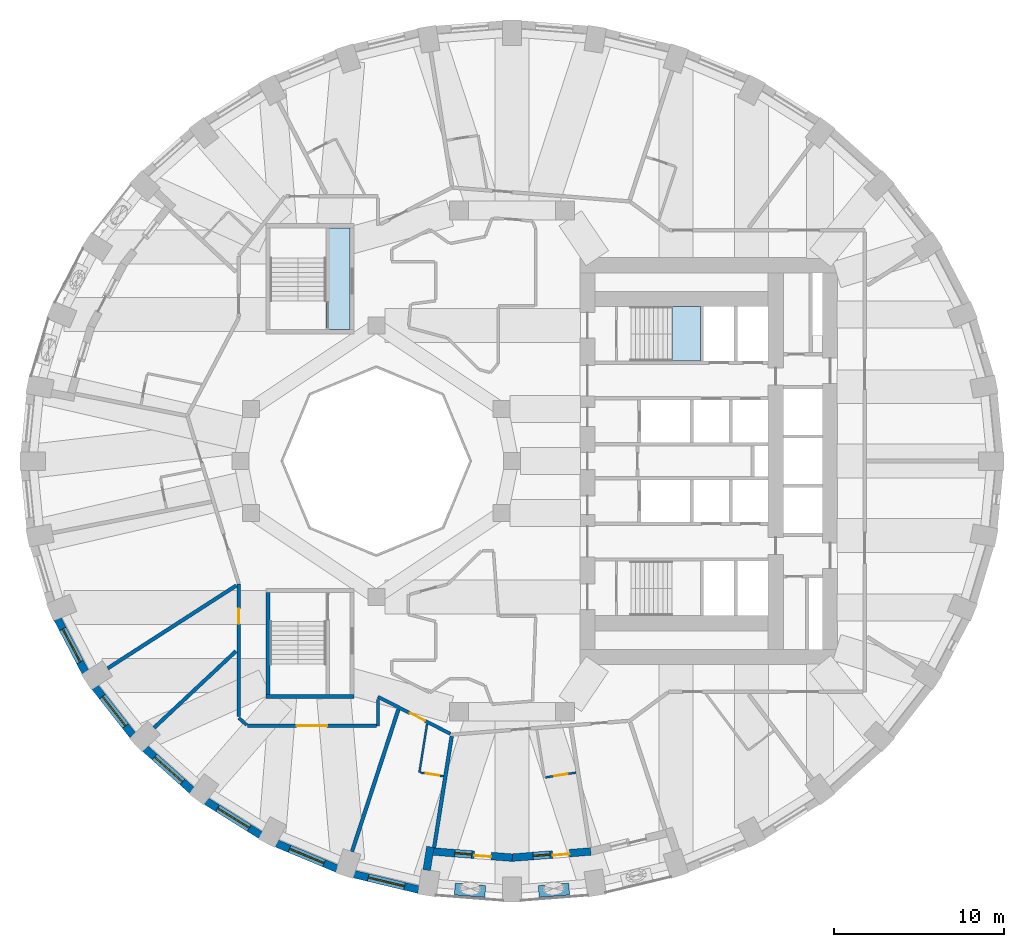
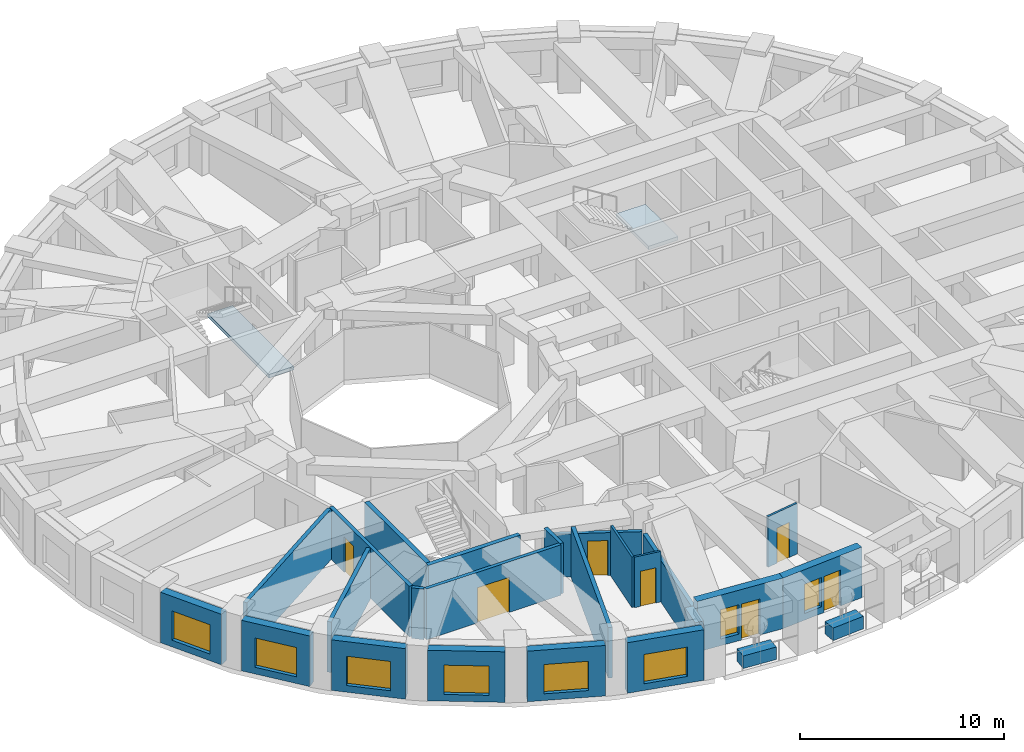
# One storey, part 3 of 13: 25 walls, 8 windows, 7 doors, 2 slabs, 15 openings, 1 element without a shape of its own.
"""IFC4 building model written with IfcOpenShell, lengths in metres."""

from ifc_helpers import new_model, si_unit, direction, frame, frame_2d, origin, place, context, subcontext, project, spatial, polyline, rectangle, outline, extrude, material, layer, layer_set, constituent, constituent_set, type_object, element, fill, aggregate, save


model = new_model("IFC4")

# Units and contexts
model_context = context("Model", 3, precision=1e-05, world=origin(), true_north=direction((0.0, 1.0)))
body_context = subcontext(model_context, "Body", "Model", "MODEL_VIEW")
ifc_project = project(units=[si_unit("LENGTHUNIT", "METRE"), si_unit("AREAUNIT", "SQUARE_METRE"), si_unit("VOLUMEUNIT", "CUBIC_METRE"), si_unit("PLANEANGLEUNIT", "RADIAN"), si_unit("MASSUNIT", "GRAM", prefix="KILO")], contexts=[model_context])

# Site, building, storey
site_placement = place(None, origin())
site = spatial("IfcSite", under=ifc_project, at=site_placement, CompositionType="ELEMENT")
building_placement = place(site_placement, origin())
building = spatial("IfcBuilding", under=site, at=building_placement, Name="Taillehof Tower", CompositionType="ELEMENT")
storey_placement = place(building_placement, frame((0.0, 0.0, 38.199951171875)))
storey = spatial("IfcBuildingStorey", under=building, at=storey_placement, Name="L09", CompositionType="ELEMENT", Elevation=38.199951171875)

# Stair, slab
ifc_material_1 = material(Name="Concrete C40/50", Category="concrete")
stair_type = type_object("IfcStairType", Name="Exit stair half-turn", PredefinedType="HALF_TURN_STAIR", material=ifc_material_1)
stair_placement = place(storey_placement, origin())
stair = element("IfcStair", 1, at=stair_placement, inside=storey, type_object=stair_type, Name="Exit stair S1", PredefinedType="HALF_TURN_STAIR")
ifc_material_2 = material(Name="Concrete C40/50", Category="concrete")
ifc_layer_1 = layer(ifc_material_2, 0.2099609375)
ifc_layer_set_1 = layer_set([ifc_layer_1], Name="Stair landing C40/50 210")
slab_type = type_object("IfcSlabType", Name="Stair landing C40/50 210", PredefinedType="LANDING", material=ifc_layer_set_1)
slab_1_placement = place(storey_placement, frame((0.0, 0.0, 1.43994140625)))
slab_1 = element("IfcSlab", 2, at=slab_1_placement, type_object=slab_type, Name="S1 landing 1", PredefinedType="LANDING", context=body_context, shape_type="SweptSolid", body=[
    extrude(outline(polyline([(9.429931640625, 5.89990234375), (11.10009765625, 5.89990234375), (11.10009765625, 9.10009765625), (9.429931640625, 9.10009765625), (9.429931640625, 5.89990234375)])), origin(), (0.0, 0.0, 1.0), 0.210205078125),
])
aggregate(stair, [slab_1])

# Slab
slab_2_placement = place(storey_placement, frame((0.0, 0.0, -0.2099609375)))
element("IfcSlab", 3, at=slab_2_placement, inside=storey, type_object=slab_type, Name="Stair lobby S3 floor", PredefinedType="LANDING", context=body_context, shape_type="SweptSolid", body=[
    extrude(outline(polyline([(-10.949951171875, 7.75), (-9.550048828125, 7.75), (-9.550048828125, 13.75), (-10.949951171875, 13.75), (-10.949951171875, 7.75)])), origin(), (0.0, 0.0, 1.0), 0.2099609375),
])

# Wall, opening, window
ifc_material_3 = material(Name="Brick masonry", Category="masonry")
ifc_layer_2 = layer(ifc_material_3, 0.449951171875)
ifc_layer_set_2 = layer_set([ifc_layer_2], Name="Brick infill wall 450")
wall_type_1 = type_object("IfcWallType", Name="Brick infill wall 450", PredefinedType="SOLIDWALL", material=ifc_layer_set_2)
wall_1_placement = place(storey_placement, frame((-26.78564453125, -9.30517578125, 0.0), z_axis=(0.0, 0.0, 1.0), x_axis=(0.462492775226, -0.886623050041, 0.0)))
wall_1 = element("IfcWall", 4, at=wall_1_placement, inside=storey, type_object=wall_type_1, Name="Brick wall L09 bay 21", PredefinedType="SOLIDWALL", context=body_context, shape_type="SweptSolid", body=[
    extrude(rectangle(XDim=3.531982421875, YDim=0.449951171875, at=frame_2d((1.76611328125, 0.0))), origin(), (0.0, 0.0, 1.0), 3.02001953125),
])
opening_1_placement = place(wall_1_placement, frame((0.666015625, 0.0, 0.39990234375)))
opening_1 = element("IfcOpeningElement", 5, at=opening_1_placement, cuts=wall_1, Name="Opening W1", PredefinedType="OPENING", context=body_context, shape_type="SweptSolid", body=[
    extrude(rectangle(XDim=2.199951171875, YDim=1.75, at=frame_2d((1.10009765625, 0.875))), frame((0.0, 0.23486328125, 0.0), z_axis=(0.0, -1.0, 0.0), x_axis=(1.0, 0.0, 0.0)), (0.0, 0.0, 1.0), 0.469970703125),
])
ifc_material_4 = material(Name="Aluminium window frame with clear double glazing", Category="aluminium")
window_type_1 = type_object("IfcWindowType", Name="Deep-set window 2200x1750", PartitioningType="SINGLE_PANEL", PredefinedType="WINDOW", material=ifc_material_4)
window_1_placement = place(opening_1_placement, origin())
window_1 = element("IfcWindow", 6, at=window_1_placement, inside=storey, type_object=window_type_1, Name="W1", OverallHeight=1.75, OverallWidth=2.199951171875, PartitioningType="SINGLE_PANEL", PredefinedType="WINDOW", context=body_context, shape_type="SweptSolid", body=[
    extrude(rectangle(XDim=2.199951171875, YDim=1.75, at=frame_2d((1.10009765625, 0.875))), frame((0.0, 0.034912109375, 0.0), z_axis=(0.0, -1.0, 0.0), x_axis=(1.0, 0.0, 0.0)), (0.0, 0.0, 1.0), 0.06005859375),
])
fill(opening_1, window_1)

wall_2_placement = place(storey_placement, frame((-24.57763671875, -13.327880859375, 0.0), z_axis=(0.0, 0.0, 1.0), x_axis=(0.616661975264, -0.787228053529, 0.0)))
wall_2 = element("IfcWall", 7, at=wall_2_placement, inside=storey, type_object=wall_type_1, Name="Brick wall L09 bay 22", PredefinedType="SOLIDWALL", context=body_context, shape_type="SweptSolid", body=[
    extrude(rectangle(XDim=3.60986328125, YDim=0.449951171875, at=frame_2d((1.804931640625, 0.0))), origin(), (0.0, 0.0, 1.0), 3.02001953125),
])
opening_2_placement = place(wall_2_placement, frame((0.704833984375, 0.0, 0.39990234375)))
opening_2 = element("IfcOpeningElement", 8, at=opening_2_placement, cuts=wall_2, Name="Opening W1", PredefinedType="OPENING", context=body_context, shape_type="SweptSolid", body=[
    extrude(rectangle(XDim=2.199951171875, YDim=1.75, at=frame_2d((1.10009765625, 0.875))), frame((0.0, 0.23486328125, 0.0), z_axis=(0.0, -1.0, 0.0), x_axis=(1.0, 0.0, 0.0)), (0.0, 0.0, 1.0), 0.469970703125),
])
window_2_placement = place(opening_2_placement, origin())
window_2 = element("IfcWindow", 9, at=window_2_placement, inside=storey, type_object=window_type_1, Name="W1", OverallHeight=1.75, OverallWidth=2.199951171875, PartitioningType="SINGLE_PANEL", PredefinedType="WINDOW", context=body_context, shape_type="SweptSolid", body=[
    extrude(rectangle(XDim=2.199951171875, YDim=1.75, at=frame_2d((1.10009765625, 0.875))), frame((0.0, 0.034912109375, 0.0), z_axis=(0.0, -1.0, 0.0), x_axis=(1.0, 0.0, 0.0)), (0.0, 0.0, 1.0), 0.06005859375),
])
fill(opening_2, window_2)

wall_3_placement = place(storey_placement, frame((-21.626708984375, -16.943115234375, 0.0), z_axis=(0.0, 0.0, 1.0), x_axis=(0.745526233716, -0.66647628228, 0.0)))
wall_3 = element("IfcWall", 10, at=wall_3_placement, inside=storey, type_object=wall_type_1, Name="Brick wall L09 bay 23", PredefinedType="SOLIDWALL", context=body_context, shape_type="SweptSolid", body=[
    extrude(rectangle(XDim=3.69677734375, YDim=0.449951171875, at=frame_2d((1.848388671875, 0.0))), origin(), (0.0, 0.0, 1.0), 3.02001953125),
])
opening_3_placement = place(wall_3_placement, frame((0.74853515625, 0.0, 0.39990234375)))
opening_3 = element("IfcOpeningElement", 11, at=opening_3_placement, cuts=wall_3, Name="Opening W1", PredefinedType="OPENING", context=body_context, shape_type="SweptSolid", body=[
    extrude(rectangle(XDim=2.199951171875, YDim=1.75, at=frame_2d((1.10009765625, 0.875))), frame((0.0, 0.23486328125, 0.0), z_axis=(0.0, -1.0, 0.0), x_axis=(1.0, 0.0, 0.0)), (0.0, 0.0, 1.0), 0.469970703125),
])
window_3_placement = place(opening_3_placement, origin())
window_3 = element("IfcWindow", 12, at=window_3_placement, inside=storey, type_object=window_type_1, Name="W1", OverallHeight=1.75, OverallWidth=2.199951171875, PartitioningType="SINGLE_PANEL", PredefinedType="WINDOW", context=body_context, shape_type="SweptSolid", body=[
    extrude(rectangle(XDim=2.199951171875, YDim=1.75, at=frame_2d((1.10009765625, 0.875))), frame((0.0, 0.034912109375, 0.0), z_axis=(0.0, -1.0, 0.0), x_axis=(1.0, 0.0, 0.0)), (0.0, 0.0, 1.0), 0.06005859375),
])
fill(opening_3, window_3)

wall_4_placement = place(storey_placement, frame((-18.02294921875, -20.043701171875, 0.0), z_axis=(0.0, 0.0, 1.0), x_axis=(0.847635480093, -0.530579016629, 0.0)))
wall_4 = element("IfcWall", 13, at=wall_4_placement, inside=storey, type_object=wall_type_1, Name="Brick wall L09 bay 24", PredefinedType="SOLIDWALL", context=body_context, shape_type="SweptSolid", body=[
    extrude(rectangle(XDim=3.782470703125, YDim=0.449951171875, at=frame_2d((1.89111328125, 0.0))), origin(), (0.0, 0.0, 1.0), 3.02001953125),
])
opening_4_placement = place(wall_4_placement, frame((0.791259765625, 0.0, 0.39990234375)))
opening_4 = element("IfcOpeningElement", 14, at=opening_4_placement, cuts=wall_4, Name="Opening W1", PredefinedType="OPENING", context=body_context, shape_type="SweptSolid", body=[
    extrude(rectangle(XDim=2.199951171875, YDim=1.75, at=frame_2d((1.10009765625, 0.875))), frame((0.0, 0.23486328125, 0.0), z_axis=(0.0, -1.0, 0.0), x_axis=(1.0, 0.0, 0.0)), (0.0, 0.0, 1.0), 0.469970703125),
])
window_4_placement = place(opening_4_placement, origin())
window_4 = element("IfcWindow", 15, at=window_4_placement, inside=storey, type_object=window_type_1, Name="W1", OverallHeight=1.75, OverallWidth=2.199951171875, PartitioningType="SINGLE_PANEL", PredefinedType="WINDOW", context=body_context, shape_type="SweptSolid", body=[
    extrude(rectangle(XDim=2.199951171875, YDim=1.75, at=frame_2d((1.10009765625, 0.875))), frame((0.0, 0.034912109375, 0.0), z_axis=(0.0, -1.0, 0.0), x_axis=(1.0, 0.0, 0.0)), (0.0, 0.0, 1.0), 0.06005859375),
])
fill(opening_4, window_4)

wall_5_placement = place(storey_placement, frame((-13.875, -22.537353515625, 0.0), z_axis=(0.0, 0.0, 1.0), x_axis=(0.923031964282, -0.384723267966, 0.0)))
wall_5 = element("IfcWall", 16, at=wall_5_placement, inside=storey, type_object=wall_type_1, Name="Brick wall L09 bay 25", PredefinedType="SOLIDWALL", context=body_context, shape_type="SweptSolid", body=[
    extrude(rectangle(XDim=3.8564453125, YDim=0.449951171875, at=frame_2d((1.92822265625, 0.0))), origin(), (0.0, 0.0, 1.0), 3.02001953125),
])
opening_5_placement = place(wall_5_placement, frame((0.828125, 0.0, 0.39990234375)))
opening_5 = element("IfcOpeningElement", 17, at=opening_5_placement, cuts=wall_5, Name="Opening W1", PredefinedType="OPENING", context=body_context, shape_type="SweptSolid", body=[
    extrude(rectangle(XDim=2.199951171875, YDim=1.75, at=frame_2d((1.10009765625, 0.875))), frame((0.0, 0.23486328125, 0.0), z_axis=(0.0, -1.0, 0.0), x_axis=(1.0, 0.0, 0.0)), (0.0, 0.0, 1.0), 0.469970703125),
])
window_5_placement = place(opening_5_placement, origin())
window_5 = element("IfcWindow", 18, at=window_5_placement, inside=storey, type_object=window_type_1, Name="W1", OverallHeight=1.75, OverallWidth=2.199951171875, PartitioningType="SINGLE_PANEL", PredefinedType="WINDOW", context=body_context, shape_type="SweptSolid", body=[
    extrude(rectangle(XDim=2.199951171875, YDim=1.75, at=frame_2d((1.10009765625, 0.875))), frame((0.0, 0.034912109375, 0.0), z_axis=(0.0, -1.0, 0.0), x_axis=(1.0, 0.0, 0.0)), (0.0, 0.0, 1.0), 0.06005859375),
])
fill(opening_5, window_5)

wall_6_placement = place(storey_placement, frame((-9.3076171875, -24.349609375, 0.0), z_axis=(0.0, 0.0, 1.0), x_axis=(0.972496561493, -0.232917233979, 0.0)))
wall_6 = element("IfcWall", 19, at=wall_6_placement, inside=storey, type_object=wall_type_1, Name="Brick wall L09 bay 26", PredefinedType="SOLIDWALL", context=body_context, shape_type="SweptSolid", body=[
    extrude(rectangle(XDim=3.910888671875, YDim=0.449951171875, at=frame_2d((1.95556640625, 0.0))), origin(), (0.0, 0.0, 1.0), 3.02001953125),
])
opening_6_placement = place(wall_6_placement, frame((0.855224609375, 0.0, 0.39990234375)))
opening_6 = element("IfcOpeningElement", 20, at=opening_6_placement, cuts=wall_6, Name="Opening W1", PredefinedType="OPENING", context=body_context, shape_type="SweptSolid", body=[
    extrude(rectangle(XDim=2.199951171875, YDim=1.75, at=frame_2d((1.10009765625, 0.875))), frame((0.0, 0.23486328125, 0.0), z_axis=(0.0, -1.0, 0.0), x_axis=(1.0, 0.0, 0.0)), (0.0, 0.0, 1.0), 0.469970703125),
])
window_6_placement = place(opening_6_placement, origin())
window_6 = element("IfcWindow", 21, at=window_6_placement, inside=storey, type_object=window_type_1, Name="W1", OverallHeight=1.75, OverallWidth=2.199951171875, PartitioningType="SINGLE_PANEL", PredefinedType="WINDOW", context=body_context, shape_type="SweptSolid", body=[
    extrude(rectangle(XDim=2.199951171875, YDim=1.75, at=frame_2d((1.10009765625, 0.875))), frame((0.0, 0.034912109375, 0.0), z_axis=(0.0, -1.0, 0.0), x_axis=(1.0, 0.0, 0.0)), (0.0, 0.0, 1.0), 0.06005859375),
])
fill(opening_6, window_6)

# Wall
wall_7_placement = place(storey_placement, frame((-5.02685546875, -24.108154296875, 0.0), z_axis=(0.0, 0.0, 1.0), x_axis=(0.156133927791, 0.98773589415, 0.0)))
element("IfcWall", 22, at=wall_7_placement, inside=storey, type_object=wall_type_1, Name="Brick reveal L09 pocket 8", PredefinedType="SOLIDWALL", context=body_context, shape_type="SweptSolid", body=[
    extrude(rectangle(XDim=1.39013671875, YDim=0.449951171875, at=frame_2d((0.695068359375, 0.0))), origin(), (0.0, 0.0, 1.0), 2.469970703125),
])

# Wall, openings, door, window
wall_8_placement = place(storey_placement, frame((-4.625732421875, -23.011474609375, 0.0), z_axis=(0.0, 0.0, 1.0), x_axis=(0.996937095772, -0.078207589615, 0.0)))
wall_8 = element("IfcWall", 23, at=wall_8_placement, inside=storey, type_object=wall_type_1, Name="Brick wall L09 pocket bay 27", PredefinedType="SOLIDWALL", context=body_context, shape_type="SweptSolid", body=[
    extrude(rectangle(XDim=4.657470703125, YDim=0.449951171875, at=frame_2d((2.32861328125, 0.0))), origin(), (0.0, 0.0, 1.0), 3.02001953125),
])
opening_7_placement = place(wall_8_placement, frame((1.25390625, 0.0, 0.39990234375)))
opening_7 = element("IfcOpeningElement", 24, at=opening_7_placement, cuts=wall_8, Name="Opening W5", PredefinedType="OPENING", context=body_context, shape_type="SweptSolid", body=[
    extrude(rectangle(XDim=1.0, YDim=1.75, at=frame_2d((0.5, 0.875))), frame((0.0, 0.23486328125, 0.0), z_axis=(0.0, -1.0, 0.0), x_axis=(1.0, 0.0, 0.0)), (0.0, 0.0, 1.0), 0.469970703125),
])
opening_8_placement = place(wall_8_placement, frame((2.40380859375, 0.0, 0.0)))
opening_8 = element("IfcOpeningElement", 25, at=opening_8_placement, cuts=wall_8, Name="Opening D0994", PredefinedType="OPENING", context=body_context, shape_type="SweptSolid", body=[
    extrude(rectangle(XDim=1.0, YDim=2.14990234375, at=frame_2d((0.5, 1.074951171875))), frame((0.0, 0.23486328125, 0.0), z_axis=(0.0, -1.0, 0.0), x_axis=(1.0, 0.0, 0.0)), (0.0, 0.0, 1.0), 0.469970703125),
])
ifc_material_5 = material(Name="Aluminium door frame with clear double glazing", Category="aluminium")
door_type_1 = type_object("IfcDoorType", Name="Balcony door 1000x2150", OperationType="SINGLE_SWING_RIGHT", PredefinedType="DOOR", material=ifc_material_5)
door_1_placement = place(opening_8_placement, frame((1.0, 0.0, 0.0), z_axis=(0.0, 0.0, 1.0), x_axis=(-1.0, 0.0, 0.0)))
door_1 = element("IfcDoor", 26, at=door_1_placement, inside=storey, type_object=door_type_1, Name="Balcony door L09 bay 27", OperationType="SINGLE_SWING_RIGHT", OverallHeight=2.14990234375, OverallWidth=1.0, PredefinedType="DOOR", context=body_context, shape_type="SweptSolid", body=[
    extrude(rectangle(XDim=1.0, YDim=2.14990234375, at=frame_2d((0.5, 1.074951171875))), frame((0.0, 0.0751953125, 0.0), z_axis=(0.0, -1.0, 0.0), x_axis=(1.0, 0.0, 0.0)), (0.0, 0.0, 1.0), 0.050048828125),
])
fill(opening_8, door_1)
ifc_material_6 = material(Name="Aluminium window frame with clear double glazing", Category="aluminium")
window_type_2 = type_object("IfcWindowType", Name="Fixed window 1000x1750", PartitioningType="SINGLE_PANEL", PredefinedType="WINDOW", material=ifc_material_6)
window_7_placement = place(opening_7_placement, origin())
window_7 = element("IfcWindow", 27, at=window_7_placement, inside=storey, type_object=window_type_2, Name="W5", OverallHeight=1.75, OverallWidth=1.0, PartitioningType="SINGLE_PANEL", PredefinedType="WINDOW", context=body_context, shape_type="SweptSolid", body=[
    extrude(rectangle(XDim=1.0, YDim=1.75, at=frame_2d((0.5, 0.875))), frame((0.0, 0.034912109375, 0.0), z_axis=(0.0, -1.0, 0.0), x_axis=(1.0, 0.0, 0.0)), (0.0, 0.0, 1.0), 0.06005859375),
])
fill(opening_7, window_7)

wall_9_placement = place(storey_placement, frame((-0.017578125, -23.375732421875, 0.0), z_axis=(0.0, 0.0, 1.0), x_axis=(0.996935982964, 0.078221773648, 0.0)))
wall_9 = element("IfcWall", 28, at=wall_9_placement, inside=storey, type_object=wall_type_1, Name="Brick wall L09 pocket bay 28", PredefinedType="SOLIDWALL", context=body_context, shape_type="SweptSolid", body=[
    extrude(rectangle(XDim=4.675537109375, YDim=0.449951171875, at=frame_2d((2.337890625, 0.0))), origin(), (0.0, 0.0, 1.0), 3.02001953125),
])
opening_9_placement = place(wall_9_placement, frame((1.2626953125, 0.0, 0.39990234375)))
opening_9 = element("IfcOpeningElement", 29, at=opening_9_placement, cuts=wall_9, Name="Opening W5", PredefinedType="OPENING", context=body_context, shape_type="SweptSolid", body=[
    extrude(rectangle(XDim=1.0, YDim=1.75, at=frame_2d((0.5, 0.875))), frame((0.0, 0.23486328125, 0.0), z_axis=(0.0, -1.0, 0.0), x_axis=(1.0, 0.0, 0.0)), (0.0, 0.0, 1.0), 0.469970703125),
])
opening_10_placement = place(wall_9_placement, frame((2.41259765625, 0.0, 0.0)))
opening_10 = element("IfcOpeningElement", 30, at=opening_10_placement, cuts=wall_9, Name="Opening D0995", PredefinedType="OPENING", context=body_context, shape_type="SweptSolid", body=[
    extrude(rectangle(XDim=1.0, YDim=2.14990234375, at=frame_2d((0.5, 1.074951171875))), frame((0.0, 0.23486328125, 0.0), z_axis=(0.0, -1.0, 0.0), x_axis=(1.0, 0.0, 0.0)), (0.0, 0.0, 1.0), 0.469970703125),
])
door_2_placement = place(opening_10_placement, frame((1.0, 0.0, 0.0), z_axis=(0.0, 0.0, 1.0), x_axis=(-1.0, 0.0, 0.0)))
door_2 = element("IfcDoor", 31, at=door_2_placement, inside=storey, type_object=door_type_1, Name="Balcony door L09 bay 28", OperationType="SINGLE_SWING_LEFT", OverallHeight=2.14990234375, OverallWidth=1.0, PredefinedType="DOOR", context=body_context, shape_type="SweptSolid", body=[
    extrude(rectangle(XDim=1.0, YDim=2.14990234375, at=frame_2d((0.5, 1.074951171875))), frame((0.0, 0.0751953125, 0.0), z_axis=(0.0, -1.0, 0.0), x_axis=(1.0, 0.0, 0.0)), (0.0, 0.0, 1.0), 0.050048828125),
])
fill(opening_10, door_2)
window_8_placement = place(opening_9_placement, origin())
window_8 = element("IfcWindow", 32, at=window_8_placement, inside=storey, type_object=window_type_2, Name="W5", OverallHeight=1.75, OverallWidth=1.0, PartitioningType="SINGLE_PANEL", PredefinedType="WINDOW", context=body_context, shape_type="SweptSolid", body=[
    extrude(rectangle(XDim=1.0, YDim=1.75, at=frame_2d((0.5, 0.875))), frame((0.0, 0.034912109375, 0.0), z_axis=(0.0, -1.0, 0.0), x_axis=(1.0, 0.0, 0.0)), (0.0, 0.0, 1.0), 0.06005859375),
])
fill(opening_9, window_8)

# Wall, opening, door
ifc_material_7 = material(Name="Gypsum board on steel studs, two layers each side", Category="steel")
ifc_layer_3 = layer(ifc_material_7, 0.199951171875)
ifc_layer_set_3 = layer_set([ifc_layer_3], Name="Compartment wall corridor 200")
wall_type_2 = type_object("IfcWallType", Name="Compartment wall corridor 200", PredefinedType="PARTITIONING", material=ifc_layer_set_3)
wall_10_placement = place(storey_placement, frame((-3.6259765625, -16.07763671875, 0.0), z_axis=(0.0, 0.0, 1.0), x_axis=(-0.890197807844, 0.455574212297, 0.0)))
wall_10 = element("IfcWall", 33, at=wall_10_placement, inside=storey, type_object=wall_type_2, Name="Compartment wall", PredefinedType="PARTITIONING", context=body_context, shape_type="SweptSolid", body=[
    extrude(rectangle(XDim=4.801025390625, YDim=0.199951171875, at=frame_2d((2.400390625, 0.0))), origin(), (0.0, 0.0, 1.0), 2.570068359375),
])
opening_11_placement = place(wall_10_placement, frame((1.6875, 0.0, 0.0)))
opening_11 = element("IfcOpeningElement", 34, at=opening_11_placement, cuts=wall_10, Name="Opening D0955", PredefinedType="OPENING", context=body_context, shape_type="SweptSolid", body=[
    extrude(rectangle(XDim=1.0, YDim=2.10009765625, at=frame_2d((0.5, 1.050048828125))), frame((0.0, 0.10986328125, 0.0), z_axis=(0.0, -1.0, 0.0), x_axis=(1.0, 0.0, 0.0)), (0.0, 0.0, 1.0), 0.219970703125),
])
ifc_material_8 = material(Name="Timber door leaf in steel frame", Category="steel")
door_type_2 = type_object("IfcDoorType", Name="Guest room door EI 30 1000 x 2100", OperationType="SINGLE_SWING_LEFT", PredefinedType="DOOR", material=ifc_material_8)
door_3_placement = place(opening_11_placement, origin())
door_3 = element("IfcDoor", 35, at=door_3_placement, inside=storey, type_object=door_type_2, Name="D0955", OperationType="SINGLE_SWING_LEFT", OverallHeight=2.10009765625, OverallWidth=1.0, PredefinedType="DOOR", context=body_context, shape_type="SweptSolid", body=[
    extrude(rectangle(XDim=1.0, YDim=2.10009765625, at=frame_2d((0.5, 1.050048828125))), frame((0.0, 0.02490234375, 0.0), z_axis=(0.0, -1.0, 0.0), x_axis=(1.0, 0.0, 0.0)), (0.0, 0.0, 1.0), 0.050048828125),
])
fill(opening_11, door_3)

# Wall
wall_11_placement = place(storey_placement, frame((-7.89990234375, -14.050537109375, 0.0), z_axis=(0.0, 0.0, 1.0), x_axis=(0.0, -1.0, 0.0)))
element("IfcWall", 36, at=wall_11_placement, inside=storey, type_object=wall_type_2, Name="Compartment wall", PredefinedType="PARTITIONING", context=body_context, shape_type="SweptSolid", body=[
    extrude(rectangle(XDim=1.549560546875, YDim=0.199951171875, at=frame_2d((0.77490234375, 0.0))), origin(), (0.0, 0.0, 1.0), 3.02001953125),
])

# Wall, opening, door
wall_12_placement = place(storey_placement, frame((-8.0, -15.60009765625, 0.0), z_axis=(0.0, 0.0, 1.0), x_axis=(-1.0, 0.0, 0.0)))
wall_12 = element("IfcWall", 37, at=wall_12_placement, inside=storey, type_object=wall_type_2, Name="Compartment wall", PredefinedType="PARTITIONING", context=body_context, shape_type="SweptSolid", body=[
    extrude(rectangle(XDim=7.591552734375, YDim=0.199951171875, at=frame_2d((3.7958984375, 0.0))), origin(), (0.0, 0.0, 1.0), 3.02001953125),
])
opening_12_placement = place(wall_12_placement, frame((2.895751953125, 0.0, 0.0)))
opening_12 = element("IfcOpeningElement", 38, at=opening_12_placement, cuts=wall_12, Name="Opening D0954", PredefinedType="OPENING", context=body_context, shape_type="SweptSolid", body=[
    extrude(rectangle(XDim=1.800048828125, YDim=2.10009765625, at=frame_2d((0.89990234375, 1.050048828125))), frame((0.0, 0.10986328125, 0.0), z_axis=(0.0, -1.0, 0.0), x_axis=(1.0, 0.0, 0.0)), (0.0, 0.0, 1.0), 0.219970703125),
])
ifc_material_9 = material(Name="Timber door leaf in steel frame", Category="steel")
door_type_3 = type_object("IfcDoorType", Name="Lounge and meeting room double door EI 30 1800 x 2100", OperationType="SINGLE_SWING_LEFT", PredefinedType="DOOR", material=ifc_material_9)
door_4_placement = place(opening_12_placement, origin())
door_4 = element("IfcDoor", 39, at=door_4_placement, inside=storey, type_object=door_type_3, Name="D0954", OperationType="DOUBLE_DOOR_SINGLE_SWING", OverallHeight=2.10009765625, OverallWidth=1.800048828125, PredefinedType="DOOR", context=body_context, shape_type="SweptSolid", body=[
    extrude(rectangle(XDim=1.800048828125, YDim=2.10009765625, at=frame_2d((0.89990234375, 1.050048828125))), frame((0.0, 0.02490234375, 0.0), z_axis=(0.0, -1.0, 0.0), x_axis=(1.0, 0.0, 0.0)), (0.0, 0.0, 1.0), 0.050048828125),
])
fill(opening_12, door_4)

# Wall
wall_13_placement = place(storey_placement, frame((-15.63623046875, -15.559814453125, 0.0), z_axis=(0.0, 0.0, 1.0), x_axis=(-0.744656758283, 0.667447610187, 0.0)))
element("IfcWall", 40, at=wall_13_placement, inside=storey, type_object=wall_type_2, Name="Compartment wall", PredefinedType="PARTITIONING", context=body_context, shape_type="SweptSolid", body=[
    extrude(rectangle(XDim=0.623046875, YDim=0.199951171875, at=frame_2d((0.3115234375, 0.0))), origin(), (0.0, 0.0, 1.0), 3.02001953125),
])

# Wall, opening, door
wall_14_placement = place(storey_placement, frame((-16.10009765625, -15.06396484375, 0.0), z_axis=(0.0, 0.0, 1.0), x_axis=(0.0, 1.0, 0.0)))
wall_14 = element("IfcWall", 41, at=wall_14_placement, inside=storey, type_object=wall_type_2, Name="Compartment wall", PredefinedType="PARTITIONING", context=body_context, shape_type="SweptSolid", body=[
    extrude(rectangle(XDim=7.8232421875, YDim=0.199951171875, at=frame_2d((3.91162109375, 0.0))), origin(), (0.0, 0.0, 1.0), 3.02001953125),
])
opening_13_placement = place(wall_14_placement, frame((5.46435546875, 0.0, 0.0)))
opening_13 = element("IfcOpeningElement", 42, at=opening_13_placement, cuts=wall_14, Name="Opening D0953", PredefinedType="OPENING", context=body_context, shape_type="SweptSolid", body=[
    extrude(rectangle(XDim=0.89990234375, YDim=2.10009765625, at=frame_2d((0.449951171875, 1.050048828125))), frame((0.0, 0.10986328125, 0.0), z_axis=(0.0, -1.0, 0.0), x_axis=(1.0, 0.0, 0.0)), (0.0, 0.0, 1.0), 0.219970703125),
])
ifc_material_10 = material(Name="Timber door leaf in steel frame", Category="steel")
door_type_4 = type_object("IfcDoorType", Name="Service room door EI 30 900 x 2100", OperationType="SINGLE_SWING_LEFT", PredefinedType="DOOR", material=ifc_material_10)
door_5_placement = place(opening_13_placement, origin())
door_5 = element("IfcDoor", 43, at=door_5_placement, inside=storey, type_object=door_type_4, Name="D0953", OperationType="SINGLE_SWING_RIGHT", OverallHeight=2.10009765625, OverallWidth=0.89990234375, PredefinedType="DOOR", context=body_context, shape_type="SweptSolid", body=[
    extrude(rectangle(XDim=0.89990234375, YDim=2.10009765625, at=frame_2d((0.449951171875, 1.050048828125))), frame((0.0, 0.02490234375, 0.0), z_axis=(0.0, -1.0, 0.0), x_axis=(1.0, 0.0, 0.0)), (0.0, 0.0, 1.0), 0.050048828125),
])
fill(opening_13, door_5)

# Walls
ifc_material_11 = material(Name="Gypsum board on double steel studs with mineral wool", Category="steel")
ifc_layer_4 = layer(ifc_material_11, 0.219970703125)
ifc_layer_set_4 = layer_set([ifc_layer_4], Name="Compartment wall guest room 220")
wall_type_3 = type_object("IfcWallType", Name="Compartment wall guest room 220", PredefinedType="PARTITIONING", material=ifc_layer_set_4)
wall_15_placement = place(storey_placement, frame((-23.834716796875, -12.218994140625, 0.0), z_axis=(0.0, 0.0, 1.0), x_axis=(0.840731477632, 0.541452290159, 0.0)))
element("IfcWall", 44, at=wall_15_placement, inside=storey, type_object=wall_type_3, Name="Compartment wall", PredefinedType="PARTITIONING", context=body_context, shape_type="SweptSolid", body=[
    extrude(rectangle(XDim=9.020751953125, YDim=0.219970703125, at=frame_2d((4.51025390625, 0.0))), origin(), (0.0, 0.0, 1.0), 3.02001953125),
])
wall_16_placement = place(storey_placement, frame((-21.09326171875, -15.7177734375, 0.0), z_axis=(0.0, 0.0, 1.0), x_axis=(0.73009284205, 0.683347965525, 0.0)))
element("IfcWall", 45, at=wall_16_placement, inside=storey, type_object=wall_type_3, Name="Compartment wall", PredefinedType="PARTITIONING", context=body_context, shape_type="SweptSolid", body=[
    extrude(rectangle(XDim=6.6015625, YDim=0.219970703125, at=frame_2d((3.30078125, 0.0))), origin(), (0.0, 0.0, 1.0), 3.02001953125),
])
wall_17_placement = place(storey_placement, frame((-9.429443359375, -23.01416015625, 0.0), z_axis=(0.0, 0.0, 1.0), x_axis=(0.310242805557, 0.950657352362, 0.0)))
element("IfcWall", 46, at=wall_17_placement, inside=storey, type_object=wall_type_3, Name="Compartment wall", PredefinedType="PARTITIONING", context=body_context, shape_type="SweptSolid", body=[
    extrude(rectangle(XDim=8.80810546875, YDim=0.219970703125, at=frame_2d((4.404052734375, 0.0))), origin(), (0.0, 0.0, 1.0), 3.02001953125),
])
wall_18_placement = place(storey_placement, frame((-4.590576171875, -22.78857421875, 0.0), z_axis=(0.0, 0.0, 1.0), x_axis=(0.156104000092, 0.987740624433, 0.0)))
element("IfcWall", 47, at=wall_18_placement, inside=storey, type_object=wall_type_3, Name="Compartment wall", PredefinedType="PARTITIONING", context=body_context, shape_type="SweptSolid", body=[
    extrude(rectangle(XDim=6.6484375, YDim=0.219970703125, at=frame_2d((3.32421875, 0.0))), origin(), (0.0, 0.0, 1.0), 2.469970703125),
])
ifc_material_12 = material(Name="Gypsum board on steel studs, moisture resistant", Category="steel")
ifc_layer_5 = layer(ifc_material_12, 0.1201171875)
ifc_layer_set_5 = layer_set([ifc_layer_5], Name="En-suite wall 120")
wall_type_4 = type_object("IfcWallType", Name="En-suite wall 120", PredefinedType="PARTITIONING", material=ifc_layer_set_5)
wall_19_placement = place(storey_placement, frame((-5.008056640625, -15.503662109375, 0.0), z_axis=(0.0, 0.0, 1.0), x_axis=(-0.156219239615, -0.987722404917, 0.0)))
element("IfcWall", 48, at=wall_19_placement, inside=storey, type_object=wall_type_4, Name="En-suite wall", PredefinedType="PARTITIONING", context=body_context, shape_type="SweptSolid", body=[
    extrude(rectangle(XDim=2.8818359375, YDim=0.1201171875, at=frame_2d((1.44091796875, 0.0))), origin(), (0.0, 0.0, 1.0), 3.02001953125),
])

# Wall, opening, door
wall_20_placement = place(storey_placement, frame((-5.39892578125, -18.359375, 0.0), z_axis=(0.0, 0.0, 1.0), x_axis=(0.987722767831, -0.156216945011, 0.0)))
wall_20 = element("IfcWall", 49, at=wall_20_placement, inside=storey, type_object=wall_type_4, Name="En-suite wall", PredefinedType="PARTITIONING", context=body_context, shape_type="SweptSolid", body=[
    extrude(rectangle(XDim=1.3798828125, YDim=0.1201171875, at=frame_2d((0.68994140625, 0.0))), origin(), (0.0, 0.0, 1.0), 3.02001953125),
])
opening_14_placement = place(wall_20_placement, frame((0.31494140625, 0.0, 0.0)))
opening_14 = element("IfcOpeningElement", 50, at=opening_14_placement, cuts=wall_20, Name="Opening D0956", PredefinedType="OPENING", context=body_context, shape_type="SweptSolid", body=[
    extrude(rectangle(XDim=0.800048828125, YDim=2.10009765625, at=frame_2d((0.39990234375, 1.050048828125))), frame((0.0, 0.070068359375, 0.0), z_axis=(0.0, -1.0, 0.0), x_axis=(1.0, 0.0, 0.0)), (0.0, 0.0, 1.0), 0.14013671875),
])
ifc_material_13 = material(Name="Timber door leaf in steel frame", Category="steel")
door_type_5 = type_object("IfcDoorType", Name="En-suite door 800 x 2100", OperationType="SINGLE_SWING_LEFT", PredefinedType="DOOR", material=ifc_material_13)
door_6_placement = place(opening_14_placement, origin())
door_6 = element("IfcDoor", 51, at=door_6_placement, inside=storey, type_object=door_type_5, Name="D0956", OperationType="SINGLE_SWING_LEFT", OverallHeight=2.10009765625, OverallWidth=0.800048828125, PredefinedType="DOOR", context=body_context, shape_type="SweptSolid", body=[
    extrude(rectangle(XDim=0.800048828125, YDim=2.10009765625, at=frame_2d((0.39990234375, 1.050048828125))), frame((0.0, 0.02490234375, 0.0), z_axis=(0.0, -1.0, 0.0), x_axis=(1.0, 0.0, 0.0)), (0.0, 0.0, 1.0), 0.050048828125),
])
fill(opening_14, door_6)

wall_21_placement = place(storey_placement, frame((1.9716796875, -18.646240234375, 0.0), z_axis=(0.0, 0.0, 1.0), x_axis=(0.98774348746, 0.156085883351, 0.0)))
wall_21 = element("IfcWall", 52, at=wall_21_placement, inside=storey, type_object=wall_type_4, Name="En-suite wall", PredefinedType="PARTITIONING", context=body_context, shape_type="SweptSolid", body=[
    extrude(rectangle(XDim=1.830078125, YDim=0.1201171875, at=frame_2d((0.9150390625, 0.0))), origin(), (0.0, 0.0, 1.0), 3.02001953125),
])
opening_15_placement = place(wall_21_placement, frame((0.5400390625, 0.0, 0.0)))
opening_15 = element("IfcOpeningElement", 53, at=opening_15_placement, cuts=wall_21, Name="Opening D0958", PredefinedType="OPENING", context=body_context, shape_type="SweptSolid", body=[
    extrude(rectangle(XDim=0.800048828125, YDim=2.10009765625, at=frame_2d((0.39990234375, 1.050048828125))), frame((0.0, 0.070068359375, 0.0), z_axis=(0.0, -1.0, 0.0), x_axis=(1.0, 0.0, 0.0)), (0.0, 0.0, 1.0), 0.14013671875),
])
door_7_placement = place(opening_15_placement, origin())
door_7 = element("IfcDoor", 54, at=door_7_placement, inside=storey, type_object=door_type_5, Name="D0958", OperationType="SINGLE_SWING_RIGHT", OverallHeight=2.10009765625, OverallWidth=0.800048828125, PredefinedType="DOOR", context=body_context, shape_type="SweptSolid", body=[
    extrude(rectangle(XDim=0.800048828125, YDim=2.10009765625, at=frame_2d((0.39990234375, 1.050048828125))), frame((0.0, 0.02490234375, 0.0), z_axis=(0.0, -1.0, 0.0), x_axis=(1.0, 0.0, 0.0)), (0.0, 0.0, 1.0), 0.050048828125),
])
fill(opening_15, door_7)

# Walls
ifc_material_14 = material(Name="Concrete C30/37 precast", Category="concrete")
ifc_constituent_1 = constituent(ifc_material_14, Name="Structure", Category="concrete")
ifc_material_15 = material(Name="Insulated lining")
ifc_constituent_2 = constituent(ifc_material_15, Name="Lining")
ifc_constituent_set = constituent_set(constituents=[ifc_constituent_1, ifc_constituent_2], Name="Planter trough 700x750")
wall_type_5 = type_object("IfcWallType", Name="Planter trough 700x750", PredefinedType="USERDEFINED", material=ifc_constituent_set)
for number, where, z_axis, x_axis, name in (
    (55, (-3.368896484375, -25.22509765625, 0.0), (0.0, 0.0, 1.0), (0.996965267018, -0.077847648384, 0.0), "Planter L09 bay 27"),
    (56, (1.57421875, -25.365234375, 0.0), (0.0, 0.0, 1.0), (0.996965267018, 0.077847648384, 0.0), "Planter L09 bay 28"),
):
    element("IfcWall", number, at=place(storey_placement, frame(where, z_axis=z_axis, x_axis=x_axis)), inside=storey, type_object=wall_type_5, Name=name, ObjectType="PLANTER", PredefinedType="USERDEFINED", context=body_context, shape_type="SweptSolid", body=[
        extrude(rectangle(XDim=1.800048828125, YDim=0.699951171875, at=frame_2d((0.89990234375, 0.0))), origin(), (0.0, 0.0, 1.0), 0.75),
    ])
ifc_material_16 = material(Name="Concrete C50/60", Category="concrete")
ifc_layer_6 = layer(ifc_material_16, 0.25)
ifc_layer_set_6 = layer_set([ifc_layer_6], Name="Stair wall C50/60 250")
wall_type_6 = type_object("IfcWallType", Name="Stair wall C50/60 250", PredefinedType="SHEAR", material=ifc_layer_set_6)
wall_22_placement = place(storey_placement, frame((-14.375, -13.75, -0.280029296875), z_axis=(0.0, 0.0, 1.0), x_axis=(0.0, 1.0, 0.0)))
element("IfcWall", 57, at=wall_22_placement, inside=storey, type_object=wall_type_6, Name="Stair wall SC", PredefinedType="SHEAR", context=body_context, shape_type="SweptSolid", body=[
    extrude(rectangle(XDim=6.0, YDim=0.25, at=frame_2d((3.0, 0.0))), origin(), (0.0, 0.0, 1.0), 3.300048828125),
])
wall_23_placement = place(storey_placement, frame((-14.5, -13.875, -0.280029296875), z_axis=(0.0, 0.0, 1.0), x_axis=(1.0, 0.0, 0.0)))
element("IfcWall", 58, at=wall_23_placement, inside=storey, type_object=wall_type_6, Name="Stair wall SC", PredefinedType="SHEAR", context=body_context, shape_type="SweptSolid", body=[
    extrude(rectangle(XDim=5.199951171875, YDim=0.25, at=frame_2d((2.60009765625, 0.0))), origin(), (0.0, 0.0, 1.0), 3.300048828125),
])

save(model, "model.ifc")
